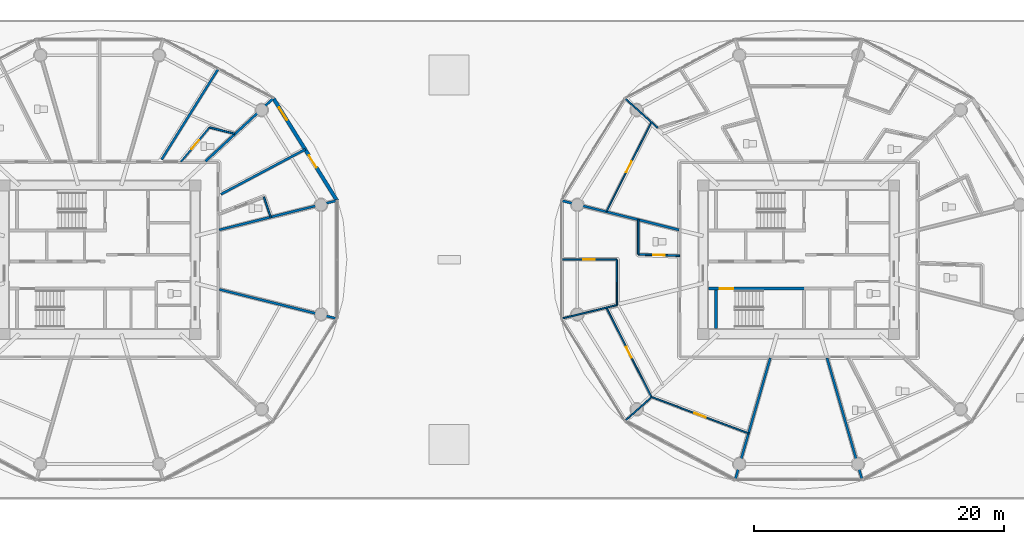
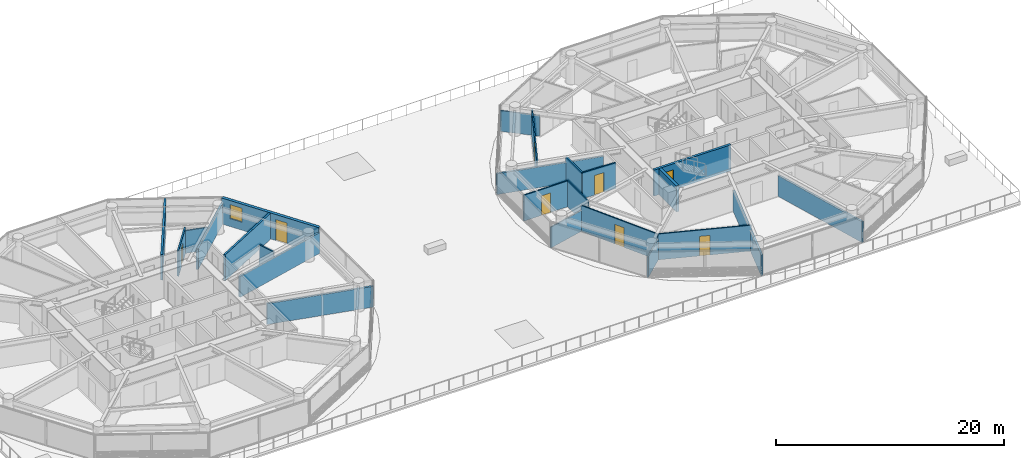
# One storey, part 17 of 32: 24 walls, 8 doors, 1 window, 9 openings.
"""IFC4 building model written with IfcOpenShell, lengths in metres."""

from ifc_helpers import new_model, si_unit, direction, frame, frame_2d, origin, place, context, subcontext, project, spatial, rectangle, extrude, source, transform, mapped, material, layer, layer_set, type_object, type_shapes, element, fill, save


model = new_model("IFC4")

# Units and contexts
model_context = context("Model", 3, precision=1e-05, world=origin(), true_north=direction((0.0, 1.0)))
body_context = subcontext(model_context, "Body", "Model", "MODEL_VIEW")
ifc_project = project(units=[si_unit("LENGTHUNIT", "METRE"), si_unit("AREAUNIT", "SQUARE_METRE"), si_unit("VOLUMEUNIT", "CUBIC_METRE"), si_unit("PLANEANGLEUNIT", "RADIAN"), si_unit("MASSUNIT", "GRAM", prefix="KILO")], contexts=[model_context])

# Site, building, storey
site_placement = place(None, origin())
site = spatial("IfcSite", under=ifc_project, at=site_placement, CompositionType="ELEMENT")
building_placement = place(site_placement, origin())
building = spatial("IfcBuilding", under=site, at=building_placement, Name="Norrkilde Senior Care Towers", CompositionType="ELEMENT")
storey_placement = place(building_placement, frame((0.0, 0.0, 21.60009765625)))
storey = spatial("IfcBuildingStorey", under=building, at=storey_placement, Name="L05", CompositionType="ELEMENT", Elevation=21.60009765625)

# Wall, openings, door, window
ifc_material_1 = material(Name="Precast concrete C45/55", Category="concrete")
ifc_layer_1 = layer(ifc_material_1, 0.2900390625)
ifc_layer_set_1 = layer_set([ifc_layer_1], Name="Precast concrete C45/55")
wall_type_1 = type_object("IfcWallType", Name="Winter Garden Facade Wall 290", PredefinedType="SOLIDWALL", material=ifc_layer_set_1)
shared_shape_1 = source(origin(), body_context, "Body", "SweptSolid", [
    extrude(rectangle(XDim=9.64892578125, YDim=0.2900390625, at=frame_2d((4.824462890625, 0.0))), origin(), (0.0, 0.0, 1.0), 2.789794921875),
])
type_shapes(wall_type_1, [shared_shape_1])
wall_1_placement = place(storey_placement, frame((-14.084228515625, 12.926025390625, 0.0), z_axis=(0.0, 0.0, 1.0), x_axis=(0.527909458386, -0.849300655684, 0.0)))
wall_1 = element("IfcWall", 1, at=wall_1_placement, inside=storey, type_object=wall_type_1, Name="L05 Drum W Balcony Access Wall 00", PredefinedType="SOLIDWALL", context=body_context, shape_type="MappedRepresentation", body=[
    mapped(shared_shape_1, transform((0.0, 0.0, 0.0), x_axis=(1.0, 0.0, 0.0), y_axis=(0.0, 1.0, 0.0), z_axis=(0.0, 0.0, 1.0), scale=1.0)),
])
opening_1_placement = place(wall_1_placement, frame((5.3798828125, 0.0, 0.0)))
opening_1 = element("IfcOpeningElement", 2, at=opening_1_placement, cuts=wall_1, Name="Opening D-09", PredefinedType="OPENING", context=body_context, shape_type="SweptSolid", body=[
    extrude(rectangle(XDim=1.14990234375, YDim=2.25, at=frame_2d((0.574951171875, 1.125))), frame((0.0, 0.155029296875, 0.0), z_axis=(0.0, -1.0, 0.0), x_axis=(1.0, 0.0, 0.0)), (0.0, 0.0, 1.0), 0.31005859375),
])
opening_2_placement = place(wall_1_placement, frame((0.85009765625, 0.0, 0.85009765625)))
opening_2 = element("IfcOpeningElement", 3, at=opening_2_placement, cuts=wall_1, Name="Opening WN-07", PredefinedType="OPENING", context=body_context, shape_type="SweptSolid", body=[
    extrude(rectangle(XDim=1.199951171875, YDim=1.5, at=frame_2d((0.60009765625, 0.75))), frame((0.0, 0.155029296875, 0.0), z_axis=(0.0, -1.0, 0.0), x_axis=(1.0, 0.0, 0.0)), (0.0, 0.0, 1.0), 0.31005859375),
])
ifc_material_2 = material(Name="Anodised Aluminium", Category="aluminium")
door_type_1 = type_object("IfcDoorType", Name="Terrace and Balcony Glazed Door 1150x2250", OperationType="NOTDEFINED", PredefinedType="DOOR", material=ifc_material_2)
shared_shape_2 = source(origin(), body_context, "Body", "SweptSolid", [
    extrude(rectangle(XDim=1.14990234375, YDim=2.25, at=frame_2d((0.574951171875, 1.125))), frame((0.0, 0.02490234375, 0.0), z_axis=(0.0, -1.0, 0.0), x_axis=(1.0, 0.0, 0.0)), (0.0, 0.0, 1.0), 0.050048828125),
])
type_shapes(door_type_1, [shared_shape_2])
door_1_placement = place(opening_1_placement, origin())
door_1 = element("IfcDoor", 4, at=door_1_placement, inside=storey, type_object=door_type_1, Name="L05 Drum W Outdoor Terrace Door 00", OperationType="SINGLE_SWING_LEFT", OverallHeight=2.25, OverallWidth=1.14990234375, PredefinedType="DOOR", context=body_context, shape_type="MappedRepresentation", body=[
    mapped(shared_shape_2, transform((0.0, 0.0, 0.0), x_axis=(1.0, 0.0, 0.0), y_axis=(0.0, 1.0, 0.0), z_axis=(0.0, 0.0, 1.0), scale=1.0)),
])
fill(opening_1, door_1)
ifc_material_3 = material(Name="Triple Low-E Insulated Glazing", Category="glass")
window_type = type_object("IfcWindowType", Name="Stairwell Smoke Vent Window 1200x1500", PartitioningType="SINGLE_PANEL", PredefinedType="WINDOW", material=ifc_material_3)
shared_shape_3 = source(origin(), body_context, "Body", "SweptSolid", [
    extrude(rectangle(XDim=1.199951171875, YDim=1.5, at=frame_2d((0.60009765625, 0.75))), frame((0.0, 0.030029296875, 0.0), z_axis=(0.0, -1.0, 0.0), x_axis=(1.0, 0.0, 0.0)), (0.0, 0.0, 1.0), 0.06005859375),
])
type_shapes(window_type, [shared_shape_3])
window_placement = place(opening_2_placement, origin())
window = element("IfcWindow", 5, at=window_placement, inside=storey, type_object=window_type, Name="L05 Drum W Winter Garden Window 00", OverallHeight=1.5, OverallWidth=1.199951171875, PartitioningType="SINGLE_PANEL", PredefinedType="WINDOW", context=body_context, shape_type="MappedRepresentation", body=[
    mapped(shared_shape_3, transform((0.0, 0.0, 0.0), x_axis=(1.0, 0.0, 0.0), y_axis=(0.0, 1.0, 0.0), z_axis=(0.0, 0.0, 1.0), scale=1.0)),
])
fill(opening_2, window)

# Wall, opening, door
ifc_material_4 = material(Name="Concrete C45/55", Category="concrete")
ifc_layer_2 = layer(ifc_material_4, 0.239990234375)
ifc_layer_set_2 = layer_set([ifc_layer_2], Name="Concrete C45/55")
wall_type_2 = type_object("IfcWallType", Name="Shaft and Stair Enclosure Wall 240", PredefinedType="PARTITIONING", material=ifc_layer_set_2)
shared_shape_4 = source(origin(), body_context, "Body", "SweptSolid", [
    extrude(rectangle(XDim=7.76513671875, YDim=0.239990234375, at=frame_2d((3.882568359375, 0.0))), origin(), (0.0, 0.0, 1.0), 2.789794921875),
])
wall_2_placement = place(storey_placement, frame((20.77490234375, -2.330078125, 0.0), z_axis=(0.0, 0.0, 1.0), x_axis=(1.0, 0.0, 0.0)))
wall_2 = element("IfcWall", 6, at=wall_2_placement, inside=storey, type_object=wall_type_2, Name="WL-INT-L05-E-ST2N", PredefinedType="PARTITIONING", context=body_context, shape_type="MappedRepresentation", body=[
    mapped(shared_shape_4, transform((0.0, 0.0, 0.0), x_axis=(1.0, 0.0, 0.0), y_axis=(0.0, 1.0, 0.0), z_axis=(0.0, 0.0, 1.0), scale=1.0)),
])
opening_3_placement = place(wall_2_placement, frame((0.885009765625, 0.0, 0.0)))
opening_3 = element("IfcOpeningElement", 7, at=opening_3_placement, cuts=wall_2, Name="Opening D-03", PredefinedType="OPENING", context=body_context, shape_type="SweptSolid", body=[
    extrude(rectangle(XDim=1.10009765625, YDim=2.14990234375, at=frame_2d((0.550048828125, 1.074951171875))), frame((0.0, 0.1298828125, 0.0), z_axis=(0.0, -1.0, 0.0), x_axis=(1.0, 0.0, 0.0)), (0.0, 0.0, 1.0), 0.260009765625),
])
ifc_material_5 = material(Name="Galvanised Painted Steel", Category="steel")
door_type_2 = type_object("IfcDoorType", Name="Stairwell Protected Fire Door 1100x2150", OperationType="NOTDEFINED", PredefinedType="DOOR", material=ifc_material_5)
shared_shape_5 = source(origin(), body_context, "Body", "SweptSolid", [
    extrude(rectangle(XDim=1.10009765625, YDim=2.14990234375, at=frame_2d((0.550048828125, 1.074951171875))), frame((0.0, 0.02490234375, 0.0), z_axis=(0.0, -1.0, 0.0), x_axis=(1.0, 0.0, 0.0)), (0.0, 0.0, 1.0), 0.050048828125),
])
type_shapes(door_type_2, [shared_shape_5])
door_2_placement = place(opening_3_placement, frame((1.10009765625, 0.0, 0.0), z_axis=(0.0, 0.0, 1.0), x_axis=(-1.0, 0.0, 0.0)))
door_2 = element("IfcDoor", 8, at=door_2_placement, inside=storey, type_object=door_type_2, Name="L05 Stair E2 Fire Door", OperationType="SINGLE_SWING_RIGHT", OverallHeight=2.14990234375, OverallWidth=1.10009765625, PredefinedType="DOOR", context=body_context, shape_type="MappedRepresentation", body=[
    mapped(shared_shape_5, transform((0.0, 0.0, 0.0), x_axis=(1.0, 0.0, 0.0), y_axis=(0.0, 1.0, 0.0), z_axis=(0.0, 0.0, 1.0), scale=1.0)),
])
fill(opening_3, door_2)

# Walls
shared_shape_6 = source(origin(), body_context, "Body", "SweptSolid", [
    extrude(rectangle(XDim=3.074951171875, YDim=0.239990234375, at=frame_2d((1.53759765625, 0.0))), origin(), (0.0, 0.0, 1.0), 2.789794921875),
])
type_shapes(wall_type_2, [shared_shape_4, shared_shape_6])
wall_3_placement = place(storey_placement, frame((21.3798828125, -5.52490234375, 0.0), z_axis=(0.0, 0.0, 1.0), x_axis=(0.0, 1.0, 0.0)))
element("IfcWall", 9, at=wall_3_placement, inside=storey, type_object=wall_type_2, Name="WL-INT-L05-E-ST2W", PredefinedType="PARTITIONING", context=body_context, shape_type="MappedRepresentation", body=[
    mapped(shared_shape_6, transform((0.0, 0.0, 0.0), x_axis=(1.0, 0.0, 0.0), y_axis=(0.0, 1.0, 0.0), z_axis=(0.0, 0.0, 1.0), scale=1.0)),
])
ifc_material_6 = material(Name="Gypsum Acoustic Board")
ifc_layer_3 = layer(ifc_material_6, 0.18994140625)
ifc_layer_set_3 = layer_set([ifc_layer_3], Name="Gypsum Acoustic Board")
wall_type_3 = type_object("IfcWallType", Name="Unit Demising Acoustic Wall 190", PredefinedType="PARTITIONING", material=ifc_layer_set_3)
shared_shape_7 = source(origin(), body_context, "Body", "SweptSolid", [
    extrude(rectangle(XDim=7.4345703125, YDim=0.18994140625, at=frame_2d((3.71728515625, 0.0))), origin(), (0.0, 0.0, 1.0), 2.224853515625),
])
wall_4_placement = place(storey_placement, frame((-19.51708984375, 7.8798828125, 0.0), z_axis=(0.0, 0.0, 1.0), x_axis=(0.732651956848, 0.680603489652, 0.0)))
element("IfcWall", 10, at=wall_4_placement, inside=storey, type_object=wall_type_3, Name="WL-INT-L05-W-DEM-01-0", PredefinedType="PARTITIONING", context=body_context, shape_type="MappedRepresentation", body=[
    mapped(shared_shape_7, transform((0.0, 0.0, 0.0), x_axis=(1.0, 0.0, 0.0), y_axis=(0.0, 1.0, 0.0), z_axis=(0.0, 0.0, 1.0), scale=1.0)),
])
shared_shape_8 = source(origin(), body_context, "Body", "SweptSolid", [
    extrude(rectangle(XDim=10.196044921875, YDim=0.18994140625, at=frame_2d((5.09814453125, 0.0))), origin(), (0.0, 0.0, 1.0), 2.224853515625),
])
for number, where, z_axis, x_axis, name in (
    (11, (25.72705078125, -7.8798828125, 0.0), (0.0, 0.0, 1.0), (-0.277136420347, -0.960830580549, 0.0), "WL-INT-L05-E-DEM-08-0"),
    (12, (30.27294921875, -7.8798828125, 0.0), (0.0, 0.0, 1.0), (0.277136420347, -0.960830580549, 0.0), "WL-INT-L05-E-DEM-09-0"),
):
    element("IfcWall", number, at=place(storey_placement, frame(where, z_axis=z_axis, x_axis=x_axis)), inside=storey, type_object=wall_type_3, Name=name, PredefinedType="PARTITIONING", context=body_context, shape_type="MappedRepresentation", body=[
        mapped(shared_shape_8, transform((0.0, 0.0, 0.0), x_axis=(1.0, 0.0, 0.0), y_axis=(0.0, 1.0, 0.0), z_axis=(0.0, 0.0, 1.0), scale=1.0)),
    ])
shared_shape_9 = source(origin(), body_context, "Body", "SweptSolid", [
    extrude(rectangle(XDim=8.59814453125, YDim=0.18994140625, at=frame_2d((4.299072265625, 0.0))), origin(), (0.0, 0.0, 1.0), 2.77490234375),
])
wall_5_placement = place(storey_placement, frame((-23.04296875, 8.017333984375, 0.0), z_axis=(0.0, 0.0, 1.0), x_axis=(0.530039776395, 0.847972779893, 0.0)))
element("IfcWall", 13, at=wall_5_placement, inside=storey, type_object=wall_type_3, Name="WL-INT-L05-W-CMID-01", PredefinedType="PARTITIONING", context=body_context, shape_type="MappedRepresentation", body=[
    mapped(shared_shape_9, transform((0.0, 0.0, 0.0), x_axis=(1.0, 0.0, 0.0), y_axis=(0.0, 1.0, 0.0), z_axis=(0.0, 0.0, 1.0), scale=1.0)),
])

# Wall, opening, door
ifc_layer_4 = layer(ifc_material_6, 0.139892578125)
ifc_layer_set_4 = layer_set([ifc_layer_4], Name="Gypsum Acoustic Board")
wall_type_4 = type_object("IfcWallType", Name="En-suite Wet Room Wall 140", PredefinedType="PARTITIONING", material=ifc_layer_set_4)
shared_shape_10 = source(origin(), body_context, "Body", "SweptSolid", [
    extrude(rectangle(XDim=3.594482421875, YDim=0.139892578125, at=frame_2d((1.79736328125, 0.0))), origin(), (0.0, 0.0, 1.0), 2.77490234375),
])
wall_6_placement = place(storey_placement, frame((-21.49560546875, 7.830078125, 0.0), z_axis=(0.0, 0.0, 1.0), x_axis=(0.639001147083, 0.769205781326, 0.0)))
wall_6 = element("IfcWall", 14, at=wall_6_placement, inside=storey, type_object=wall_type_4, Name="WL-INT-L05-W-ES-01A", PredefinedType="PARTITIONING", context=body_context, shape_type="MappedRepresentation", body=[
    mapped(shared_shape_10, transform((0.0, 0.0, 0.0), x_axis=(1.0, 0.0, 0.0), y_axis=(0.0, 1.0, 0.0), z_axis=(0.0, 0.0, 1.0), scale=1.0)),
])
opening_4_placement = place(wall_6_placement, frame((1.33740234375, 0.0, 0.0)))
opening_4 = element("IfcOpeningElement", 15, at=opening_4_placement, cuts=wall_6, Name="Opening D-08", PredefinedType="OPENING", context=body_context, shape_type="SweptSolid", body=[
    extrude(rectangle(XDim=0.919921875, YDim=2.10009765625, at=frame_2d((0.4599609375, 1.050048828125))), frame((0.0, 0.079833984375, 0.0), z_axis=(0.0, -1.0, 0.0), x_axis=(1.0, 0.0, 0.0)), (0.0, 0.0, 1.0), 0.159912109375),
])
ifc_material_7 = material(Name="Nordic Ash Timber", Category="wood")
door_type_3 = type_object("IfcDoorType", Name="Accessible Wet Room Door 920x2100", OperationType="NOTDEFINED", PredefinedType="DOOR", material=ifc_material_7)
shared_shape_11 = source(origin(), body_context, "Body", "SweptSolid", [
    extrude(rectangle(XDim=0.919921875, YDim=2.10009765625, at=frame_2d((0.4599609375, 1.050048828125))), frame((0.0, 0.02490234375, 0.0), z_axis=(0.0, -1.0, 0.0), x_axis=(1.0, 0.0, 0.0)), (0.0, 0.0, 1.0), 0.050048828125),
])
type_shapes(door_type_3, [shared_shape_11])
door_3_placement = place(opening_4_placement, origin())
door_3 = element("IfcDoor", 16, at=door_3_placement, inside=storey, type_object=door_type_3, Name="L05 Care Suite 0501A Bathroom Door", OperationType="SINGLE_SWING_RIGHT", OverallHeight=2.10009765625, OverallWidth=0.919921875, PredefinedType="DOOR", context=body_context, shape_type="MappedRepresentation", body=[
    mapped(shared_shape_11, transform((0.0, 0.0, 0.0), x_axis=(1.0, 0.0, 0.0), y_axis=(0.0, 1.0, 0.0), z_axis=(0.0, 0.0, 1.0), scale=1.0)),
])
fill(opening_4, door_3)

# Walls
shared_shape_12 = source(origin(), body_context, "Body", "SweptSolid", [
    extrude(rectangle(XDim=2.06201171875, YDim=0.139892578125, at=frame_2d((1.031005859375, 0.0))), origin(), (0.0, 0.0, 1.0), 2.414794921875),
])
wall_7_placement = place(storey_placement, frame((-19.19873046875, 10.594970703125, 0.0), z_axis=(0.0, 0.0, 1.0), x_axis=(0.968776253543, -0.247936626121, 0.0)))
element("IfcWall", 17, at=wall_7_placement, inside=storey, type_object=wall_type_4, Name="WL-INT-L05-W-EF-01A", PredefinedType="PARTITIONING", context=body_context, shape_type="MappedRepresentation", body=[
    mapped(shared_shape_12, transform((0.0, 0.0, 0.0), x_axis=(1.0, 0.0, 0.0), y_axis=(0.0, 1.0, 0.0), z_axis=(0.0, 0.0, 1.0), scale=1.0)),
])
shared_shape_13 = source(origin(), body_context, "Body", "SweptSolid", [
    extrude(rectangle(XDim=9.737060546875, YDim=0.18994140625, at=frame_2d((4.86865234375, 0.0))), origin(), (0.0, 0.0, 1.0), 2.224853515625),
])
for number, where, z_axis, x_axis, name in (
    (18, (-18.419921875, -2.384521484375, 0.0), (0.0, 0.0, 1.0), (0.970392716238, -0.241532557375, 0.0), "WL-INT-L05-W-DEM-11-0"),
    (19, (-18.419921875, 2.384521484375, 0.0), (0.0, 0.0, 1.0), (0.970392716238, 0.241532557375, 0.0), "WL-INT-L05-W-DEM-00-0"),
    (20, (18.419921875, 2.384521484375, 0.0), (0.0, 0.0, 1.0), (-0.970392716238, 0.241532557375, 0.0), "WL-INT-L05-E-DEM-05-0"),
):
    element("IfcWall", number, at=place(storey_placement, frame(where, z_axis=z_axis, x_axis=x_axis)), inside=storey, type_object=wall_type_3, Name=name, PredefinedType="PARTITIONING", context=body_context, shape_type="MappedRepresentation", body=[
        mapped(shared_shape_13, transform((0.0, 0.0, 0.0), x_axis=(1.0, 0.0, 0.0), y_axis=(0.0, 1.0, 0.0), z_axis=(0.0, 0.0, 1.0), scale=1.0)),
    ])
shared_shape_14 = source(origin(), body_context, "Body", "SweptSolid", [
    extrude(rectangle(XDim=7.6767578125, YDim=0.18994140625, at=frame_2d((3.83837890625, 0.0))), origin(), (0.0, 0.0, 1.0), 2.77490234375),
])
type_shapes(wall_type_3, [shared_shape_7, shared_shape_8, shared_shape_9, shared_shape_13, shared_shape_14])
wall_8_placement = place(storey_placement, frame((-18.296875, 5.23095703125, 0.0), z_axis=(0.0, 0.0, 1.0), x_axis=(0.882725057546, 0.469889851753, 0.0)))
element("IfcWall", 21, at=wall_8_placement, inside=storey, type_object=wall_type_3, Name="WL-INT-L05-W-CMID-00", PredefinedType="PARTITIONING", context=body_context, shape_type="MappedRepresentation", body=[
    mapped(shared_shape_14, transform((0.0, 0.0, 0.0), x_axis=(1.0, 0.0, 0.0), y_axis=(0.0, 1.0, 0.0), z_axis=(0.0, 0.0, 1.0), scale=1.0)),
])
shared_shape_15 = source(origin(), body_context, "Body", "SweptSolid", [
    extrude(rectangle(XDim=1.67578125, YDim=0.139892578125, at=frame_2d((0.837890625, 0.0))), origin(), (0.0, 0.0, 1.0), 2.77490234375),
])
wall_9_placement = place(storey_placement, frame((-14.849853515625, 5.010986328125, 0.0), z_axis=(0.0, 0.0, 1.0), x_axis=(0.327785970556, -0.944752008469, 0.0)))
element("IfcWall", 22, at=wall_9_placement, inside=storey, type_object=wall_type_4, Name="WL-INT-L05-W-EF-00A", PredefinedType="PARTITIONING", context=body_context, shape_type="MappedRepresentation", body=[
    mapped(shared_shape_15, transform((0.0, 0.0, 0.0), x_axis=(1.0, 0.0, 0.0), y_axis=(0.0, 1.0, 0.0), z_axis=(0.0, 0.0, 1.0), scale=1.0)),
])

# Wall, opening, door
ifc_layer_5 = layer(ifc_material_6, 0.114990234375)
ifc_layer_set_5 = layer_set([ifc_layer_5], Name="Gypsum Acoustic Board")
wall_type_5 = type_object("IfcWallType", Name="Internal Room Partition 115", PredefinedType="PARTITIONING", material=ifc_layer_set_5)
shared_shape_16 = source(origin(), body_context, "Body", "SweptSolid", [
    extrude(rectangle(XDim=8.017822265625, YDim=0.114990234375, at=frame_2d((4.0087890625, 0.0))), origin(), (0.0, 0.0, 1.0), 2.77490234375),
])
wall_10_placement = place(storey_placement, frame((16.205078125, 11.013916015625, 0.0), z_axis=(0.0, 0.0, 1.0), x_axis=(-0.450134355233, -0.89296084026, 0.0)))
wall_10 = element("IfcWall", 23, at=wall_10_placement, inside=storey, type_object=wall_type_5, Name="WL-INT-L05-E-UBC-03-1", PredefinedType="PARTITIONING", context=body_context, shape_type="MappedRepresentation", body=[
    mapped(shared_shape_16, transform((0.0, 0.0, 0.0), x_axis=(1.0, 0.0, 0.0), y_axis=(0.0, 1.0, 0.0), z_axis=(0.0, 0.0, 1.0), scale=1.0)),
])
opening_5_placement = place(wall_10_placement, frame((3.533935546875, 0.0, 0.0)))
opening_5 = element("IfcOpeningElement", 24, at=opening_5_placement, cuts=wall_10, Name="Opening D-07", PredefinedType="OPENING", context=body_context, shape_type="SweptSolid", body=[
    extrude(rectangle(XDim=0.949951171875, YDim=2.10009765625, at=frame_2d((0.47509765625, 1.050048828125))), frame((0.0, 0.0673828125, 0.0), z_axis=(0.0, -1.0, 0.0), x_axis=(1.0, 0.0, 0.0)), (0.0, 0.0, 1.0), 0.135009765625),
])
door_type_4 = type_object("IfcDoorType", Name="Internal Suite Bedroom Door 950x2100", OperationType="NOTDEFINED", PredefinedType="DOOR", material=ifc_material_7)
shared_shape_17 = source(origin(), body_context, "Body", "SweptSolid", [
    extrude(rectangle(XDim=0.949951171875, YDim=2.10009765625, at=frame_2d((0.47509765625, 1.050048828125))), frame((0.0, 0.02490234375, 0.0), z_axis=(0.0, -1.0, 0.0), x_axis=(1.0, 0.0, 0.0)), (0.0, 0.0, 1.0), 0.050048828125),
])
type_shapes(door_type_4, [shared_shape_17])
door_4_placement = place(opening_5_placement, origin())
door_4 = element("IfcDoor", 25, at=door_4_placement, inside=storey, type_object=door_type_4, Name="Apartment 05B Bedroom 1 Door", OperationType="SINGLE_SWING_LEFT", OverallHeight=2.10009765625, OverallWidth=0.949951171875, PredefinedType="DOOR", context=body_context, shape_type="MappedRepresentation", body=[
    mapped(shared_shape_17, transform((0.0, 0.0, 0.0), x_axis=(1.0, 0.0, 0.0), y_axis=(0.0, 1.0, 0.0), z_axis=(0.0, 0.0, 1.0), scale=1.0)),
])
fill(opening_5, door_4)

wall_11_placement = place(storey_placement, frame((12.595947265625, -3.854248046875, 0.0), z_axis=(0.0, 0.0, 1.0), x_axis=(0.450134355233, -0.89296084026, 0.0)))
wall_11 = element("IfcWall", 26, at=wall_11_placement, inside=storey, type_object=wall_type_5, Name="WL-INT-L05-E-UBC-05-1", PredefinedType="PARTITIONING", context=body_context, shape_type="MappedRepresentation", body=[
    mapped(shared_shape_16, transform((0.0, 0.0, 0.0), x_axis=(1.0, 0.0, 0.0), y_axis=(0.0, 1.0, 0.0), z_axis=(0.0, 0.0, 1.0), scale=1.0)),
])
opening_6_placement = place(wall_11_placement, frame((3.533935546875, 0.0, 0.0)))
opening_6 = element("IfcOpeningElement", 27, at=opening_6_placement, cuts=wall_11, Name="Opening D-07", PredefinedType="OPENING", context=body_context, shape_type="SweptSolid", body=[
    extrude(rectangle(XDim=0.949951171875, YDim=2.10009765625, at=frame_2d((0.47509765625, 1.050048828125))), frame((0.0, 0.0673828125, 0.0), z_axis=(0.0, -1.0, 0.0), x_axis=(1.0, 0.0, 0.0)), (0.0, 0.0, 1.0), 0.135009765625),
])
door_5_placement = place(opening_6_placement, origin())
door_5 = element("IfcDoor", 28, at=door_5_placement, inside=storey, type_object=door_type_4, Name="Apartment 05C Bedroom 1 Door", OperationType="SINGLE_SWING_LEFT", OverallHeight=2.10009765625, OverallWidth=0.949951171875, PredefinedType="DOOR", context=body_context, shape_type="MappedRepresentation", body=[
    mapped(shared_shape_17, transform((0.0, 0.0, 0.0), x_axis=(1.0, 0.0, 0.0), y_axis=(0.0, 1.0, 0.0), z_axis=(0.0, 0.0, 1.0), scale=1.0)),
])
fill(opening_6, door_5)

# Walls
shared_shape_18 = source(origin(), body_context, "Body", "SweptSolid", [
    extrude(rectangle(XDim=3.550537109375, YDim=0.114990234375, at=frame_2d((1.775390625, 0.0))), origin(), (0.0, 0.0, 1.0), 2.224853515625),
])
wall_12_placement = place(storey_placement, frame((16.698486328125, 10.552978515625, 0.0), z_axis=(0.0, 0.0, 1.0), x_axis=(-0.740291560769, 0.672285954824, 0.0)))
element("IfcWall", 29, at=wall_12_placement, inside=storey, type_object=wall_type_5, Name="WL-INT-L05-E-UBR-03-1", PredefinedType="PARTITIONING", context=body_context, shape_type="MappedRepresentation", body=[
    mapped(shared_shape_18, transform((0.0, 0.0, 0.0), x_axis=(1.0, 0.0, 0.0), y_axis=(0.0, 1.0, 0.0), z_axis=(0.0, 0.0, 1.0), scale=1.0)),
])
shared_shape_19 = source(origin(), body_context, "Body", "SweptSolid", [
    extrude(rectangle(XDim=4.609130859375, YDim=0.114990234375, at=frame_2d((2.3046875, 0.0))), origin(), (0.0, 0.0, 1.0), 2.224853515625),
])
wall_13_placement = place(storey_placement, frame((13.4482421875, -3.640869140625, 0.0), z_axis=(0.0, 0.0, 1.0), x_axis=(-0.971345494518, -0.237671896276, 0.0)))
element("IfcWall", 30, at=wall_13_placement, inside=storey, type_object=wall_type_5, Name="WL-INT-L05-E-UBR-05-1", PredefinedType="PARTITIONING", context=body_context, shape_type="MappedRepresentation", body=[
    mapped(shared_shape_19, transform((0.0, 0.0, 0.0), x_axis=(1.0, 0.0, 0.0), y_axis=(0.0, 1.0, 0.0), z_axis=(0.0, 0.0, 1.0), scale=1.0)),
])

# Wall, opening, door
shared_shape_20 = source(origin(), body_context, "Body", "SweptSolid", [
    extrude(rectangle(XDim=8.31982421875, YDim=0.114990234375, at=frame_2d((4.159912109375, 0.0))), origin(), (0.0, 0.0, 1.0), 2.77490234375),
])
wall_14_placement = place(storey_placement, frame((16.2138671875, -11.005615234375, 0.0), z_axis=(0.0, 0.0, 1.0), x_axis=(0.936180763098, -0.351518959382, 0.0)))
wall_14 = element("IfcWall", 31, at=wall_14_placement, inside=storey, type_object=wall_type_5, Name="WL-INT-L05-E-UBC-05-2", PredefinedType="PARTITIONING", context=body_context, shape_type="MappedRepresentation", body=[
    mapped(shared_shape_20, transform((0.0, 0.0, 0.0), x_axis=(1.0, 0.0, 0.0), y_axis=(0.0, 1.0, 0.0), z_axis=(0.0, 0.0, 1.0), scale=1.0)),
])
opening_7_placement = place(wall_14_placement, frame((3.684814453125, 0.0, 0.0)))
opening_7 = element("IfcOpeningElement", 32, at=opening_7_placement, cuts=wall_14, Name="Opening D-07", PredefinedType="OPENING", context=body_context, shape_type="SweptSolid", body=[
    extrude(rectangle(XDim=0.949951171875, YDim=2.10009765625, at=frame_2d((0.47509765625, 1.050048828125))), frame((0.0, 0.0673828125, 0.0), z_axis=(0.0, -1.0, 0.0), x_axis=(1.0, 0.0, 0.0)), (0.0, 0.0, 1.0), 0.135009765625),
])
door_6_placement = place(opening_7_placement, frame((0.949951171875, 0.0, 0.0), z_axis=(0.0, 0.0, 1.0), x_axis=(-1.0, 0.0, 0.0)))
door_6 = element("IfcDoor", 33, at=door_6_placement, inside=storey, type_object=door_type_4, Name="Apartment 05C Bedroom 2 Door", OperationType="SINGLE_SWING_RIGHT", OverallHeight=2.10009765625, OverallWidth=0.949951171875, PredefinedType="DOOR", context=body_context, shape_type="MappedRepresentation", body=[
    mapped(shared_shape_17, transform((0.0, 0.0, 0.0), x_axis=(1.0, 0.0, 0.0), y_axis=(0.0, 1.0, 0.0), z_axis=(0.0, 0.0, 1.0), scale=1.0)),
])
fill(opening_7, door_6)

# Wall
shared_shape_21 = source(origin(), body_context, "Body", "SweptSolid", [
    extrude(rectangle(XDim=2.887451171875, YDim=0.114990234375, at=frame_2d((1.44384765625, 0.0))), origin(), (0.0, 0.0, 1.0), 2.224853515625),
])
wall_15_placement = place(storey_placement, frame((16.2138671875, -11.005615234375, 0.0), z_axis=(0.0, 0.0, 1.0), x_axis=(-0.742448503307, -0.669903142205, 0.0)))
element("IfcWall", 34, at=wall_15_placement, inside=storey, type_object=wall_type_5, Name="WL-INT-L05-E-UBR-05-2", PredefinedType="PARTITIONING", context=body_context, shape_type="MappedRepresentation", body=[
    mapped(shared_shape_21, transform((0.0, 0.0, 0.0), x_axis=(1.0, 0.0, 0.0), y_axis=(0.0, 1.0, 0.0), z_axis=(0.0, 0.0, 1.0), scale=1.0)),
])

# Wall, opening, door
shared_shape_22 = source(origin(), body_context, "Body", "SweptSolid", [
    extrude(rectangle(XDim=3.323486328125, YDim=0.139892578125, at=frame_2d((1.66162109375, 0.0))), origin(), (0.0, 0.0, 1.0), 2.77490234375),
])
wall_16_placement = place(storey_placement, frame((18.469970703125, 0.310791015625, 0.0), z_axis=(0.0, 0.0, 1.0), x_axis=(-0.999467979553, 0.032615300817, 0.0)))
wall_16 = element("IfcWall", 35, at=wall_16_placement, inside=storey, type_object=wall_type_4, Name="WL-INT-L05-E-UBTS-05", PredefinedType="PARTITIONING", context=body_context, shape_type="MappedRepresentation", body=[
    mapped(shared_shape_22, transform((0.0, 0.0, 0.0), x_axis=(1.0, 0.0, 0.0), y_axis=(0.0, 1.0, 0.0), z_axis=(0.0, 0.0, 1.0), scale=1.0)),
])
opening_8_placement = place(wall_16_placement, frame((1.201904296875, 0.0, 0.0)))
opening_8 = element("IfcOpeningElement", 36, at=opening_8_placement, cuts=wall_16, Name="Opening D-08", PredefinedType="OPENING", context=body_context, shape_type="SweptSolid", body=[
    extrude(rectangle(XDim=0.919921875, YDim=2.10009765625, at=frame_2d((0.4599609375, 1.050048828125))), frame((0.0, 0.079833984375, 0.0), z_axis=(0.0, -1.0, 0.0), x_axis=(1.0, 0.0, 0.0)), (0.0, 0.0, 1.0), 0.159912109375),
])
door_7_placement = place(opening_8_placement, origin())
door_7 = element("IfcDoor", 37, at=door_7_placement, inside=storey, type_object=door_type_3, Name="Apartment 05C Bathroom Door", OperationType="SINGLE_SWING_LEFT", OverallHeight=2.10009765625, OverallWidth=0.919921875, PredefinedType="DOOR", context=body_context, shape_type="MappedRepresentation", body=[
    mapped(shared_shape_11, transform((0.0, 0.0, 0.0), x_axis=(1.0, 0.0, 0.0), y_axis=(0.0, 1.0, 0.0), z_axis=(0.0, 0.0, 1.0), scale=1.0)),
])
fill(opening_8, door_7)

# Wall
shared_shape_23 = source(origin(), body_context, "Body", "SweptSolid", [
    extrude(rectangle(XDim=2.795166015625, YDim=0.139892578125, at=frame_2d((1.3974609375, 0.0))), origin(), (0.0, 0.0, 1.0), 2.77490234375),
])
type_shapes(wall_type_4, [shared_shape_10, shared_shape_12, shared_shape_15, shared_shape_22, shared_shape_23])
wall_17_placement = place(storey_placement, frame((15.148193359375, 0.419189453125, 0.0), z_axis=(0.0, 0.0, 1.0), x_axis=(0.001659531299, 0.999998622977, 0.0)))
element("IfcWall", 38, at=wall_17_placement, inside=storey, type_object=wall_type_4, Name="WL-INT-L05-E-UBTF-05", PredefinedType="PARTITIONING", context=body_context, shape_type="MappedRepresentation", body=[
    mapped(shared_shape_23, transform((0.0, 0.0, 0.0), x_axis=(1.0, 0.0, 0.0), y_axis=(0.0, 1.0, 0.0), z_axis=(0.0, 0.0, 1.0), scale=1.0)),
])

# Wall, opening, door
shared_shape_24 = source(origin(), body_context, "Body", "SweptSolid", [
    extrude(rectangle(XDim=4.46875, YDim=0.114990234375, at=frame_2d((2.234375, 0.0))), origin(), (0.0, 0.0, 1.0), 2.77490234375),
])
wall_18_placement = place(storey_placement, frame((13.43994140625, 0.0, 0.0), z_axis=(0.0, 0.0, 1.0), x_axis=(-1.0, 0.0, 0.0)))
wall_18 = element("IfcWall", 39, at=wall_18_placement, inside=storey, type_object=wall_type_5, Name="WL-INT-L05-E-UKTS-05", PredefinedType="PARTITIONING", context=body_context, shape_type="MappedRepresentation", body=[
    mapped(shared_shape_24, transform((0.0, 0.0, 0.0), x_axis=(1.0, 0.0, 0.0), y_axis=(0.0, 1.0, 0.0), z_axis=(0.0, 0.0, 1.0), scale=1.0)),
])
opening_9_placement = place(wall_18_placement, frame((1.75927734375, 0.0, 0.0)))
opening_9 = element("IfcOpeningElement", 40, at=opening_9_placement, cuts=wall_18, Name="Opening D-07", PredefinedType="OPENING", context=body_context, shape_type="SweptSolid", body=[
    extrude(rectangle(XDim=0.949951171875, YDim=2.10009765625, at=frame_2d((0.47509765625, 1.050048828125))), frame((0.0, 0.0673828125, 0.0), z_axis=(0.0, -1.0, 0.0), x_axis=(1.0, 0.0, 0.0)), (0.0, 0.0, 1.0), 0.135009765625),
])
door_8_placement = place(opening_9_placement, frame((0.949951171875, 0.0, 0.0), z_axis=(0.0, 0.0, 1.0), x_axis=(-1.0, 0.0, 0.0)))
door_8 = element("IfcDoor", 41, at=door_8_placement, inside=storey, type_object=door_type_4, Name="Apartment 05C Kitchen Door", OperationType="SINGLE_SWING_RIGHT", OverallHeight=2.10009765625, OverallWidth=0.949951171875, PredefinedType="DOOR", context=body_context, shape_type="MappedRepresentation", body=[
    mapped(shared_shape_17, transform((0.0, 0.0, 0.0), x_axis=(1.0, 0.0, 0.0), y_axis=(0.0, 1.0, 0.0), z_axis=(0.0, 0.0, 1.0), scale=1.0)),
])
fill(opening_9, door_8)

# Wall
shared_shape_25 = source(origin(), body_context, "Body", "SweptSolid", [
    extrude(rectangle(XDim=3.641357421875, YDim=0.114990234375, at=frame_2d((1.82080078125, 0.0))), origin(), (0.0, 0.0, 1.0), 2.77490234375),
])
type_shapes(wall_type_5, [shared_shape_16, shared_shape_18, shared_shape_19, shared_shape_20, shared_shape_21, shared_shape_24, shared_shape_25])
wall_19_placement = place(storey_placement, frame((13.43994140625, 0.0, 0.0), z_axis=(0.0, 0.0, 1.0), x_axis=(0.001877301419, -0.999998237868, 0.0)))
element("IfcWall", 42, at=wall_19_placement, inside=storey, type_object=wall_type_5, Name="WL-INT-L05-E-UKTF-05", PredefinedType="PARTITIONING", context=body_context, shape_type="MappedRepresentation", body=[
    mapped(shared_shape_25, transform((0.0, 0.0, 0.0), x_axis=(1.0, 0.0, 0.0), y_axis=(0.0, 1.0, 0.0), z_axis=(0.0, 0.0, 1.0), scale=1.0)),
])

save(model, "model.ifc")
